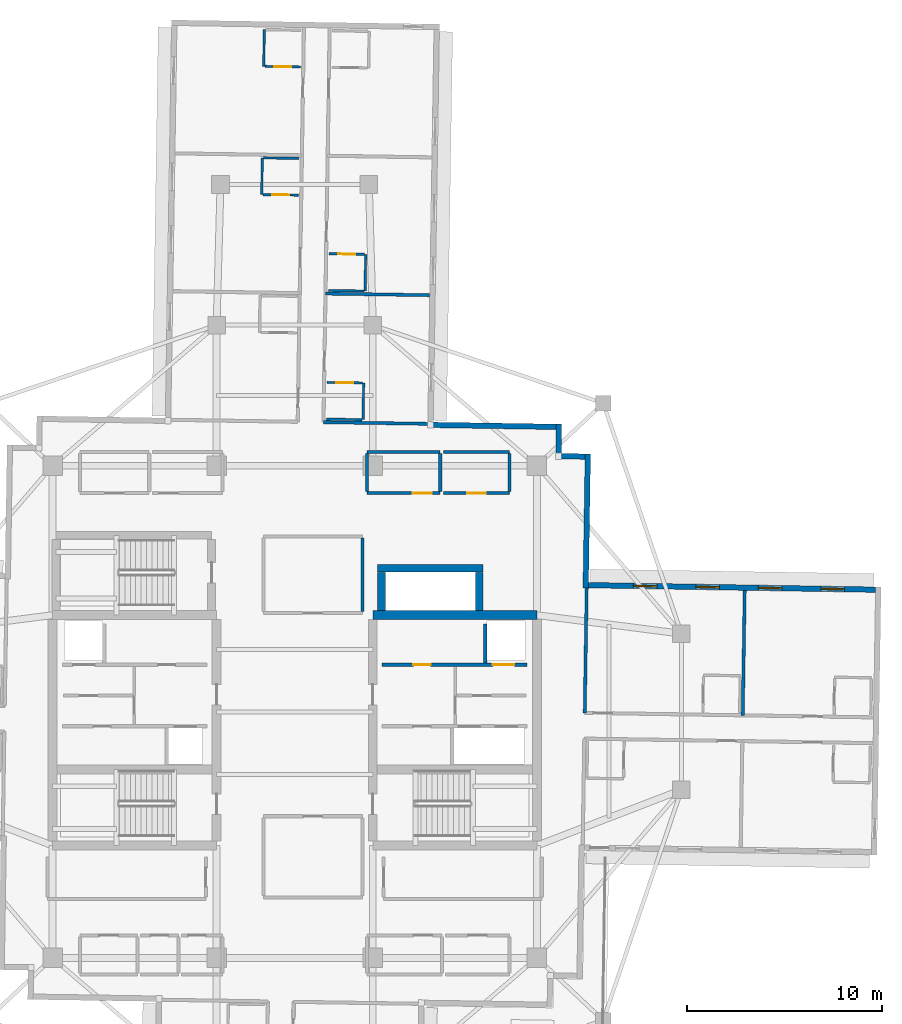
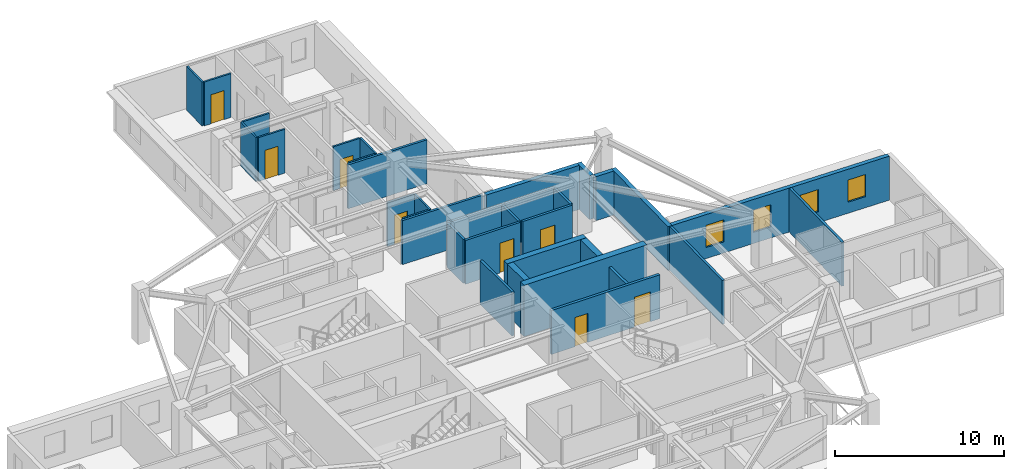
# One storey, part 8 of 13: 34 walls, 8 doors, 4 windows, 12 openings.
"""IFC4 building model written with IfcOpenShell, lengths in metres."""

from ifc_helpers import new_model, si_unit, direction, frame, frame_2d, origin, place, context, subcontext, project, spatial, rectangle, extrude, material, layer, layer_set, type_object, element, fill, save


model = new_model("IFC4")

# Units and contexts
model_context = context("Model", 3, precision=1e-05, world=origin(), true_north=direction((0.0, 1.0)))
body_context = subcontext(model_context, "Body", "Model", "MODEL_VIEW")
ifc_project = project(units=[si_unit("LENGTHUNIT", "METRE"), si_unit("AREAUNIT", "SQUARE_METRE"), si_unit("VOLUMEUNIT", "CUBIC_METRE"), si_unit("PLANEANGLEUNIT", "RADIAN"), si_unit("MASSUNIT", "GRAM", prefix="KILO")], contexts=[model_context])

# Site, building, storey
site_placement = place(None, origin())
site = spatial("IfcSite", under=ifc_project, at=site_placement, CompositionType="ELEMENT")
building_placement = place(site_placement, origin())
building = spatial("IfcBuilding", under=site, at=building_placement, Name="Qingluan Cross Belvedere", CompositionType="ELEMENT")
storey_placement = place(building_placement, frame((0.0, 0.0, 228.60009765625)))
storey = spatial("IfcBuildingStorey", under=building, at=storey_placement, Name="L57", CompositionType="ELEMENT", Elevation=228.60009765625)

# Walls
ifc_material_1 = material(Name="Concrete C50", Category="concrete")
ifc_layer_1 = layer(ifc_material_1, 0.449951171875, Name="CoreShearWall_450")
ifc_layer_set_1 = layer_set([ifc_layer_1], Name="Concrete C50")
wall_type_1 = type_object("IfcWallType", Name="CoreShearWall_450", PredefinedType="SHEAR", material=ifc_layer_set_1)
wall_1_placement = place(storey_placement, frame((4.0, 4.949951171875, 0.0), z_axis=(0.0, 0.0, 1.0), x_axis=(1.0, 0.0, 0.0)))
element("IfcWall", 1, at=wall_1_placement, inside=storey, type_object=wall_type_1, Name="Split core E shear wall L57-N", PredefinedType="SHEAR", context=body_context, shape_type="SweptSolid", body=[
    extrude(rectangle(XDim=8.39990234375, YDim=0.449951171875, at=frame_2d((4.199951171875, 0.0))), origin(), (0.0, 0.0, 1.0), 3.699951171875),
])
wall_2_placement = place(storey_placement, frame((4.449951171875, 5.179931640625, 0.0), z_axis=(0.0, 0.0, 1.0), x_axis=(0.0, 1.0, 0.0)))
element("IfcWall", 2, at=wall_2_placement, inside=storey, type_object=wall_type_1, Name="Express shuttle core wall L57-W", PredefinedType="SHEAR", context=body_context, shape_type="SweptSolid", body=[
    extrude(rectangle(XDim=1.9599609375, YDim=0.39990234375, at=frame_2d((0.97998046875, 0.0))), origin(), (0.0, 0.0, 1.0), 3.699951171875),
])
wall_3_placement = place(storey_placement, frame((4.25, 7.35009765625, 0.0), z_axis=(0.0, 0.0, 1.0), x_axis=(1.0, 0.0, 0.0)))
element("IfcWall", 3, at=wall_3_placement, inside=storey, type_object=wall_type_1, Name="Express shuttle core wall L57-N", PredefinedType="SHEAR", context=body_context, shape_type="SweptSolid", body=[
    extrude(rectangle(XDim=5.39990234375, YDim=0.39990234375, at=frame_2d((2.699951171875, 0.0))), origin(), (0.0, 0.0, 1.0), 3.699951171875),
])
wall_4_placement = place(storey_placement, frame((9.449951171875, 5.179931640625, 0.0), z_axis=(0.0, 0.0, 1.0), x_axis=(0.0, 1.0, 0.0)))
element("IfcWall", 4, at=wall_4_placement, inside=storey, type_object=wall_type_1, Name="Express shuttle core wall L57-E", PredefinedType="SHEAR", context=body_context, shape_type="SweptSolid", body=[
    extrude(rectangle(XDim=1.9599609375, YDim=0.39990234375, at=frame_2d((0.97998046875, 0.0))), origin(), (0.0, 0.0, 1.0), 3.699951171875),
])

# Wall, opening, door
ifc_material_2 = material(Name="Gypsum plasterboard on steel stud acoustic partition", Category="steel")
ifc_layer_2 = layer(ifc_material_2, 0.159912109375, Name="CorridorPartition_160")
ifc_layer_set_2 = layer_set([ifc_layer_2], Name="Gypsum plasterboard on steel stud acoustic partition")
wall_type_2 = type_object("IfcWallType", Name="CorridorPartition_160", PredefinedType="PARTITIONING", material=ifc_layer_set_2)
wall_5_placement = place(storey_placement, frame((3.699951171875, 11.199951171875, 0.0), z_axis=(0.0, 0.0, 1.0), x_axis=(1.0, 0.0, 0.0)))
wall_5 = element("IfcWall", 5, at=wall_5_placement, inside=storey, type_object=wall_type_2, Name="Partition L57:q_ne1:S", PredefinedType="PARTITIONING", context=body_context, shape_type="SweptSolid", body=[
    extrude(rectangle(XDim=3.75, YDim=0.159912109375, at=frame_2d((1.875, 0.0))), origin(), (0.0, 0.0, 1.0), 3.169921875),
])
opening_1_placement = place(wall_5_placement, frame((2.344970703125, 0.0, 0.0)))
opening_1 = element("IfcOpeningElement", 6, at=opening_1_placement, cuts=wall_5, Name="Opening GD-10", PredefinedType="OPENING", context=body_context, shape_type="SweptSolid", body=[
    extrude(rectangle(XDim=0.9599609375, YDim=2.14990234375, at=frame_2d((0.47998046875, 1.074951171875))), frame((0.0, 0.08984375, 0.0), z_axis=(0.0, -1.0, 0.0), x_axis=(1.0, 0.0, 0.0)), (0.0, 0.0, 1.0), 0.179931640625),
])
ifc_material_3 = material(Name="Timber oak fire-rated acoustic guestroom door", Category="wood")
door_type_1 = type_object("IfcDoorType", Name="GuestEntryDoor_FD60", OperationType="NOTDEFINED", PredefinedType="DOOR", material=ifc_material_3)
door_1_placement = place(opening_1_placement, origin())
door_1 = element("IfcDoor", 7, at=door_1_placement, inside=storey, type_object=door_type_1, Name="Sky yoga pavilion L57 door", OperationType="SINGLE_SWING_RIGHT", OverallHeight=2.14990234375, OverallWidth=0.9599609375, PredefinedType="DOOR", context=body_context, shape_type="SweptSolid", body=[
    extrude(rectangle(XDim=0.9599609375, YDim=2.14990234375, at=frame_2d((0.47998046875, 1.074951171875))), frame((0.0, 0.02490234375, 0.0), z_axis=(0.0, -1.0, 0.0), x_axis=(1.0, 0.0, 0.0)), (0.0, 0.0, 1.0), 0.050048828125),
])
fill(opening_1, door_1)

# Walls
wall_6_placement = place(storey_placement, frame((3.699951171875, 13.300048828125, 0.0), z_axis=(0.0, 0.0, 1.0), x_axis=(1.0, 0.0, 0.0)))
element("IfcWall", 8, at=wall_6_placement, inside=storey, type_object=wall_type_2, Name="Partition L57:q_ne1:N", PredefinedType="PARTITIONING", context=body_context, shape_type="SweptSolid", body=[
    extrude(rectangle(XDim=3.75, YDim=0.159912109375, at=frame_2d((1.875, 0.0))), origin(), (0.0, 0.0, 1.0), 3.169921875),
])
for number, where, z_axis, x_axis, name in (
    (9, (3.699951171875, 11.284912109375, 0.0), (0.0, 0.0, 1.0), (0.0, 1.0, 0.0), "Partition L57:q_ne1:W"),
    (10, (7.449951171875, 11.284912109375, 0.0), (0.0, 0.0, 1.0), (0.0, 1.0, 0.0), "Partition L57:q_ne1:E"),
):
    element("IfcWall", number, at=place(storey_placement, frame(where, z_axis=z_axis, x_axis=x_axis)), inside=storey, type_object=wall_type_2, Name=name, PredefinedType="PARTITIONING", context=body_context, shape_type="SweptSolid", body=[
        extrude(rectangle(XDim=1.93017578125, YDim=0.159912109375, at=frame_2d((0.965087890625, 0.0))), origin(), (0.0, 0.0, 1.0), 3.169921875),
    ])

# Wall, opening, door
wall_7_placement = place(storey_placement, frame((7.610107421875, 11.199951171875, 0.0), z_axis=(0.0, 0.0, 1.0), x_axis=(1.0, 0.0, 0.0)))
wall_7 = element("IfcWall", 11, at=wall_7_placement, inside=storey, type_object=wall_type_2, Name="Partition L57:q_ne2:S", PredefinedType="PARTITIONING", context=body_context, shape_type="SweptSolid", body=[
    extrude(rectangle(XDim=3.389892578125, YDim=0.159912109375, at=frame_2d((1.69482421875, 0.0))), origin(), (0.0, 0.0, 1.0), 3.169921875),
])
opening_2_placement = place(wall_7_placement, frame((1.215087890625, 0.0, 0.0)))
opening_2 = element("IfcOpeningElement", 12, at=opening_2_placement, cuts=wall_7, Name="Opening GD-10", PredefinedType="OPENING", context=body_context, shape_type="SweptSolid", body=[
    extrude(rectangle(XDim=0.9599609375, YDim=2.14990234375, at=frame_2d((0.47998046875, 1.074951171875))), frame((0.0, 0.08984375, 0.0), z_axis=(0.0, -1.0, 0.0), x_axis=(1.0, 0.0, 0.0)), (0.0, 0.0, 1.0), 0.179931640625),
])
door_2_placement = place(opening_2_placement, origin())
door_2 = element("IfcDoor", 13, at=door_2_placement, inside=storey, type_object=door_type_1, Name="Northeast tea salon L57 door", OperationType="SINGLE_SWING_LEFT", OverallHeight=2.14990234375, OverallWidth=0.9599609375, PredefinedType="DOOR", context=body_context, shape_type="SweptSolid", body=[
    extrude(rectangle(XDim=0.9599609375, YDim=2.14990234375, at=frame_2d((0.47998046875, 1.074951171875))), frame((0.0, 0.02490234375, 0.0), z_axis=(0.0, -1.0, 0.0), x_axis=(1.0, 0.0, 0.0)), (0.0, 0.0, 1.0), 0.050048828125),
])
fill(opening_2, door_2)

# Walls
wall_8_placement = place(storey_placement, frame((7.610107421875, 13.300048828125, 0.0), z_axis=(0.0, 0.0, 1.0), x_axis=(1.0, 0.0, 0.0)))
element("IfcWall", 14, at=wall_8_placement, inside=storey, type_object=wall_type_2, Name="Partition L57:q_ne2:N", PredefinedType="PARTITIONING", context=body_context, shape_type="SweptSolid", body=[
    extrude(rectangle(XDim=3.389892578125, YDim=0.159912109375, at=frame_2d((1.69482421875, 0.0))), origin(), (0.0, 0.0, 1.0), 3.169921875),
])
wall_9_placement = place(storey_placement, frame((11.0, 11.284912109375, 0.0), z_axis=(0.0, 0.0, 1.0), x_axis=(0.0, 1.0, 0.0)))
element("IfcWall", 15, at=wall_9_placement, inside=storey, type_object=wall_type_2, Name="Partition L57:q_ne2:E", PredefinedType="PARTITIONING", context=body_context, shape_type="SweptSolid", body=[
    extrude(rectangle(XDim=1.93017578125, YDim=0.159912109375, at=frame_2d((0.965087890625, 0.0))), origin(), (0.0, 0.0, 1.0), 3.169921875),
])
wall_10_placement = place(storey_placement, frame((3.47998046875, 5.135009765625, 0.0), z_axis=(0.0, 0.0, 1.0), x_axis=(0.0, 1.0, 0.0)))
element("IfcWall", 16, at=wall_10_placement, inside=storey, type_object=wall_type_2, Name="Partition L57:sky_tea_alcove:E", PredefinedType="PARTITIONING", context=body_context, shape_type="SweptSolid", body=[
    extrude(rectangle(XDim=3.760009765625, YDim=0.159912109375, at=frame_2d((1.8798828125, 0.0))), origin(), (0.0, 0.0, 1.0), 3.169921875),
])
for number, where, z_axis, x_axis, name in (
    (17, (14.85107421875, -0.05322265625, 0.0), (0.0, 0.0, 1.0), (0.015698271615, 0.999876774542, 0.0), "Partition L57:E:s0"),
    (18, (22.94189453125, -0.180419921875, 0.0), (0.0, 0.0, 1.0), (0.015736457476, 0.999876174287, 0.0), "Partition L57:E:d0_0"),
):
    element("IfcWall", number, at=place(storey_placement, frame(where, z_axis=z_axis, x_axis=x_axis)), inside=storey, type_object=wall_type_2, Name=name, PredefinedType="PARTITIONING", context=body_context, shape_type="SweptSolid", body=[
        extrude(rectangle(XDim=6.391845703125, YDim=0.159912109375, at=frame_2d((3.19580078125, 0.0))), origin(), (0.0, 0.0, 1.0), 3.169921875),
    ])
wall_11_placement = place(storey_placement, frame((1.47314453125, 14.82861328125, 0.0), z_axis=(0.0, 0.0, 1.0), x_axis=(0.999877025973, -0.015682248948, 0.0)))
element("IfcWall", 19, at=wall_11_placement, inside=storey, type_object=wall_type_2, Name="Partition L57:N:s0", PredefinedType="PARTITIONING", context=body_context, shape_type="SweptSolid", body=[
    extrude(rectangle(XDim=5.47998046875, YDim=0.159912109375, at=frame_2d((2.739990234375, 0.0))), origin(), (0.0, 0.0, 1.0), 3.169921875),
])
wall_12_placement = place(storey_placement, frame((1.57666015625, 21.414794921875, 0.0), z_axis=(0.0, 0.0, 1.0), x_axis=(0.999876663408, -0.015705348516, 0.0)))
element("IfcWall", 20, at=wall_12_placement, inside=storey, type_object=wall_type_2, Name="Partition L57:N:d0_0", PredefinedType="PARTITIONING", context=body_context, shape_type="SweptSolid", body=[
    extrude(rectangle(XDim=5.33203125, YDim=0.159912109375, at=frame_2d((2.666015625, 0.0))), origin(), (0.0, 0.0, 1.0), 3.169921875),
])

# Wall, opening, door
ifc_material_4 = material(Name="Moisture-resistant gypsum board lining")
ifc_layer_3 = layer(ifc_material_4, 0.1201171875, Name="EnsuiteWetPartition_120")
ifc_layer_set_3 = layer_set([ifc_layer_3], Name="Moisture-resistant gypsum board lining")
wall_type_3 = type_object("IfcWallType", Name="EnsuiteWetPartition_120", PredefinedType="PARTITIONING", material=ifc_layer_set_3)
wall_13_placement = place(storey_placement, frame((1.64501953125, 16.8662109375, 0.0), z_axis=(0.0, 0.0, 1.0), x_axis=(0.999876836305, -0.015694337248, 0.0)))
wall_13 = element("IfcWall", 21, at=wall_13_placement, inside=storey, type_object=wall_type_3, Name="Partition L57:N:bs0_0", PredefinedType="PARTITIONING", context=body_context, shape_type="SweptSolid", body=[
    extrude(rectangle(XDim=1.820068359375, YDim=0.1201171875, at=frame_2d((0.91015625, 0.0))), origin(), (0.0, 0.0, 1.0), 3.169921875),
])
opening_3_placement = place(wall_13_placement, frame((0.469970703125, 0.0, 0.0)))
opening_3 = element("IfcOpeningElement", 22, at=opening_3_placement, cuts=wall_13, Name="Opening BD-09", PredefinedType="OPENING", context=body_context, shape_type="SweptSolid", body=[
    extrude(rectangle(XDim=0.8798828125, YDim=2.10009765625, at=frame_2d((0.43994140625, 1.050048828125))), frame((0.0, 0.070068359375, 0.0), z_axis=(0.0, -1.0, 0.0), x_axis=(1.0, 0.0, 0.0)), (0.0, 0.0, 1.0), 0.14013671875),
])
ifc_material_5 = material(Name="Moisture-sealed timber en-suite door", Category="wood")
door_type_2 = type_object("IfcDoorType", Name="BathroomDoor_880", OperationType="NOTDEFINED", PredefinedType="DOOR", material=ifc_material_5)
door_3_placement = place(opening_3_placement, origin())
door_3 = element("IfcDoor", 23, at=door_3_placement, inside=storey, type_object=door_type_2, Name="Bathroom door 5709", OperationType="SINGLE_SWING_RIGHT", OverallHeight=2.10009765625, OverallWidth=0.8798828125, PredefinedType="DOOR", context=body_context, shape_type="SweptSolid", body=[
    extrude(rectangle(XDim=0.8798828125, YDim=2.10009765625, at=frame_2d((0.43994140625, 1.050048828125))), frame((0.0, 0.02490234375, 0.0), z_axis=(0.0, -1.0, 0.0), x_axis=(1.0, 0.0, 0.0)), (0.0, 0.0, 1.0), 0.050048828125),
])
fill(opening_3, door_3)

# Walls
wall_14_placement = place(storey_placement, frame((1.615478515625, 14.986572265625, 0.0), z_axis=(0.0, 0.0, 1.0), x_axis=(0.999876836305, -0.015694337248, 0.0)))
element("IfcWall", 24, at=wall_14_placement, inside=storey, type_object=wall_type_3, Name="Partition L57:N:bw0_0", PredefinedType="PARTITIONING", context=body_context, shape_type="SweptSolid", body=[
    extrude(rectangle(XDim=1.820068359375, YDim=0.1201171875, at=frame_2d((0.91015625, 0.0))), origin(), (0.0, 0.0, 1.0), 3.169921875),
])
wall_15_placement = place(storey_placement, frame((3.50048828125, 14.956787109375, 0.0), z_axis=(0.0, 0.0, 1.0), x_axis=(0.015582523404, 0.999878585111, 0.0)))
element("IfcWall", 25, at=wall_15_placement, inside=storey, type_object=wall_type_3, Name="Partition L57:N:bn0_0", PredefinedType="PARTITIONING", context=body_context, shape_type="SweptSolid", body=[
    extrude(rectangle(XDim=1.880126953125, YDim=0.1201171875, at=frame_2d((0.93994140625, 0.0))), origin(), (0.0, 0.0, 1.0), 3.169921875),
])

# Wall, opening, door
wall_16_placement = place(storey_placement, frame((1.74853515625, 23.452392578125, 0.0), z_axis=(0.0, 0.0, 1.0), x_axis=(0.999876836305, -0.015694337248, 0.0)))
wall_16 = element("IfcWall", 26, at=wall_16_placement, inside=storey, type_object=wall_type_3, Name="Partition L57:N:bs0_1", PredefinedType="PARTITIONING", context=body_context, shape_type="SweptSolid", body=[
    extrude(rectangle(XDim=1.820068359375, YDim=0.1201171875, at=frame_2d((0.91015625, 0.0))), origin(), (0.0, 0.0, 1.0), 3.169921875),
])
opening_4_placement = place(wall_16_placement, frame((0.469970703125, 0.0, 0.0)))
opening_4 = element("IfcOpeningElement", 27, at=opening_4_placement, cuts=wall_16, Name="Opening BD-09", PredefinedType="OPENING", context=body_context, shape_type="SweptSolid", body=[
    extrude(rectangle(XDim=0.8798828125, YDim=2.10009765625, at=frame_2d((0.43994140625, 1.050048828125))), frame((0.0, 0.070068359375, 0.0), z_axis=(0.0, -1.0, 0.0), x_axis=(1.0, 0.0, 0.0)), (0.0, 0.0, 1.0), 0.14013671875),
])
door_4_placement = place(opening_4_placement, origin())
door_4 = element("IfcDoor", 28, at=door_4_placement, inside=storey, type_object=door_type_2, Name="Bathroom door 5710", OperationType="SINGLE_SWING_RIGHT", OverallHeight=2.10009765625, OverallWidth=0.8798828125, PredefinedType="DOOR", context=body_context, shape_type="SweptSolid", body=[
    extrude(rectangle(XDim=0.8798828125, YDim=2.10009765625, at=frame_2d((0.43994140625, 1.050048828125))), frame((0.0, 0.02490234375, 0.0), z_axis=(0.0, -1.0, 0.0), x_axis=(1.0, 0.0, 0.0)), (0.0, 0.0, 1.0), 0.050048828125),
])
fill(opening_4, door_4)

# Walls
wall_17_placement = place(storey_placement, frame((1.718994140625, 21.57275390625, 0.0), z_axis=(0.0, 0.0, 1.0), x_axis=(0.999876836305, -0.015694337248, 0.0)))
element("IfcWall", 29, at=wall_17_placement, inside=storey, type_object=wall_type_3, Name="Partition L57:N:bw0_1", PredefinedType="PARTITIONING", context=body_context, shape_type="SweptSolid", body=[
    extrude(rectangle(XDim=1.820068359375, YDim=0.1201171875, at=frame_2d((0.91015625, 0.0))), origin(), (0.0, 0.0, 1.0), 3.169921875),
])
wall_18_placement = place(storey_placement, frame((3.603759765625, 21.543212890625, 0.0), z_axis=(0.0, 0.0, 1.0), x_axis=(0.015714386166, 0.99987652141, 0.0)))
element("IfcWall", 30, at=wall_18_placement, inside=storey, type_object=wall_type_3, Name="Partition L57:N:bn0_1", PredefinedType="PARTITIONING", context=body_context, shape_type="SweptSolid", body=[
    extrude(rectangle(XDim=1.8798828125, YDim=0.1201171875, at=frame_2d((0.93994140625, 0.0))), origin(), (0.0, 0.0, 1.0), 3.169921875),
])

# Wall, opening, door
wall_19_placement = place(storey_placement, frame((-1.624267578125, 26.48388671875, 0.0), z_axis=(0.0, 0.0, 1.0), x_axis=(0.999874722342, -0.015828443418, 0.0)))
wall_19 = element("IfcWall", 31, at=wall_19_placement, inside=storey, type_object=wall_type_3, Name="Partition L57:N:bs1_1", PredefinedType="PARTITIONING", context=body_context, shape_type="SweptSolid", body=[
    extrude(rectangle(XDim=1.820068359375, YDim=0.1201171875, at=frame_2d((0.91015625, 0.0))), origin(), (0.0, 0.0, 1.0), 3.169921875),
])
opening_5_placement = place(wall_19_placement, frame((0.469970703125, 0.0, 0.0)))
opening_5 = element("IfcOpeningElement", 32, at=opening_5_placement, cuts=wall_19, Name="Opening BD-09", PredefinedType="OPENING", context=body_context, shape_type="SweptSolid", body=[
    extrude(rectangle(XDim=0.8798828125, YDim=2.10009765625, at=frame_2d((0.43994140625, 1.050048828125))), frame((0.0, 0.070068359375, 0.0), z_axis=(0.0, -1.0, 0.0), x_axis=(1.0, 0.0, 0.0)), (0.0, 0.0, 1.0), 0.14013671875),
])
door_5_placement = place(opening_5_placement, origin())
door_5 = element("IfcDoor", 33, at=door_5_placement, inside=storey, type_object=door_type_2, Name="Bathroom door 5713", OperationType="SINGLE_SWING_RIGHT", OverallHeight=2.10009765625, OverallWidth=0.8798828125, PredefinedType="DOOR", context=body_context, shape_type="SweptSolid", body=[
    extrude(rectangle(XDim=0.8798828125, YDim=2.10009765625, at=frame_2d((0.43994140625, 1.050048828125))), frame((0.0, 0.02490234375, 0.0), z_axis=(0.0, -1.0, 0.0), x_axis=(1.0, 0.0, 0.0)), (0.0, 0.0, 1.0), 0.050048828125),
])
fill(opening_5, door_5)

# Walls
wall_20_placement = place(storey_placement, frame((-1.5947265625, 28.363525390625, 0.0), z_axis=(0.0, 0.0, 1.0), x_axis=(0.999876836305, -0.015694337248, 0.0)))
element("IfcWall", 34, at=wall_20_placement, inside=storey, type_object=wall_type_3, Name="Partition L57:N:bw1_1", PredefinedType="PARTITIONING", context=body_context, shape_type="SweptSolid", body=[
    extrude(rectangle(XDim=1.820068359375, YDim=0.1201171875, at=frame_2d((0.91015625, 0.0))), origin(), (0.0, 0.0, 1.0), 3.169921875),
])
wall_21_placement = place(storey_placement, frame((-1.689208984375, 26.48486328125, 0.0), z_axis=(0.0, 0.0, 1.0), x_axis=(0.015714386166, 0.99987652141, 0.0)))
element("IfcWall", 35, at=wall_21_placement, inside=storey, type_object=wall_type_3, Name="Partition L57:N:bc1_1", PredefinedType="PARTITIONING", context=body_context, shape_type="SweptSolid", body=[
    extrude(rectangle(XDim=1.8798828125, YDim=0.1201171875, at=frame_2d((0.93994140625, 0.0))), origin(), (0.0, 0.0, 1.0), 3.169921875),
])

# Wall, opening, door
wall_22_placement = place(storey_placement, frame((-1.52099609375, 33.048095703125, 0.0), z_axis=(0.0, 0.0, 1.0), x_axis=(0.999874688728, -0.015830566654, 0.0)))
wall_22 = element("IfcWall", 36, at=wall_22_placement, inside=storey, type_object=wall_type_3, Name="Partition L57:N:bs1_2", PredefinedType="PARTITIONING", context=body_context, shape_type="SweptSolid", body=[
    extrude(rectangle(XDim=1.81982421875, YDim=0.1201171875, at=frame_2d((0.909912109375, 0.0))), origin(), (0.0, 0.0, 1.0), 3.169921875),
])
opening_6_placement = place(wall_22_placement, frame((0.469970703125, 0.0, 0.0)))
opening_6 = element("IfcOpeningElement", 37, at=opening_6_placement, cuts=wall_22, Name="Opening BD-09", PredefinedType="OPENING", context=body_context, shape_type="SweptSolid", body=[
    extrude(rectangle(XDim=0.8798828125, YDim=2.10009765625, at=frame_2d((0.43994140625, 1.050048828125))), frame((0.0, 0.070068359375, 0.0), z_axis=(0.0, -1.0, 0.0), x_axis=(1.0, 0.0, 0.0)), (0.0, 0.0, 1.0), 0.14013671875),
])
door_6_placement = place(opening_6_placement, origin())
door_6 = element("IfcDoor", 38, at=door_6_placement, inside=storey, type_object=door_type_2, Name="Bathroom door 5714", OperationType="SINGLE_SWING_RIGHT", OverallHeight=2.10009765625, OverallWidth=0.8798828125, PredefinedType="DOOR", context=body_context, shape_type="SweptSolid", body=[
    extrude(rectangle(XDim=0.8798828125, YDim=2.10009765625, at=frame_2d((0.43994140625, 1.050048828125))), frame((0.0, 0.02490234375, 0.0), z_axis=(0.0, -1.0, 0.0), x_axis=(1.0, 0.0, 0.0)), (0.0, 0.0, 1.0), 0.050048828125),
])
fill(opening_6, door_6)

# Wall
wall_23_placement = place(storey_placement, frame((-1.586181640625, 33.049072265625, 0.0), z_axis=(0.0, 0.0, 1.0), x_axis=(0.015714386166, 0.99987652141, 0.0)))
element("IfcWall", 39, at=wall_23_placement, inside=storey, type_object=wall_type_3, Name="Partition L57:N:bc1_2", PredefinedType="PARTITIONING", context=body_context, shape_type="SweptSolid", body=[
    extrude(rectangle(XDim=1.8798828125, YDim=0.1201171875, at=frame_2d((0.93994140625, 0.0))), origin(), (0.0, 0.0, 1.0), 3.169921875),
])

# Wall, openings, windows
ifc_material_6 = material(Name="Precast concrete C45", Category="concrete")
ifc_layer_4 = layer(ifc_material_6, 0.280029296875, Name="PrecastFacadeWall_280")
ifc_layer_set_4 = layer_set([ifc_layer_4], Name="Precast concrete C45")
wall_type_4 = type_object("IfcWallType", Name="PrecastFacadeWall_280", PredefinedType="STANDARD", material=ifc_layer_set_4)
wall_24_placement = place(storey_placement, frame((29.741943359375, 6.253662109375, 0.0), z_axis=(0.0, 0.0, 1.0), x_axis=(-0.999876569875, 0.015711302158, 0.0)))
wall_24 = element("IfcWall", 40, at=wall_24_placement, inside=storey, type_object=wall_type_4, Name="Facade wall L57-EB", PredefinedType="STANDARD", context=body_context, shape_type="SweptSolid", body=[
    extrude(rectangle(XDim=14.699951171875, YDim=0.280029296875, at=frame_2d((7.35009765625, 0.0))), origin(), (0.0, 0.0, 1.0), 3.179931640625),
])
opening_7_placement = place(wall_24_placement, frame((1.60009765625, 0.0, 0.800048828125)))
opening_7 = element("IfcOpeningElement", 41, at=opening_7_placement, cuts=wall_24, Name="Opening W-02", PredefinedType="OPENING", context=body_context, shape_type="SweptSolid", body=[
    extrude(rectangle(XDim=1.199951171875, YDim=1.60009765625, at=frame_2d((0.60009765625, 0.800048828125))), frame((0.0, 0.14990234375, 0.0), z_axis=(0.0, -1.0, 0.0), x_axis=(1.0, 0.0, 0.0)), (0.0, 0.0, 1.0), 0.300048828125),
])
opening_8_placement = place(wall_24_placement, frame((4.800048828125, 0.0, 0.800048828125)))
opening_8 = element("IfcOpeningElement", 42, at=opening_8_placement, cuts=wall_24, Name="Opening W-02", PredefinedType="OPENING", context=body_context, shape_type="SweptSolid", body=[
    extrude(rectangle(XDim=1.199951171875, YDim=1.60009765625, at=frame_2d((0.60009765625, 0.800048828125))), frame((0.0, 0.14990234375, 0.0), z_axis=(0.0, -1.0, 0.0), x_axis=(1.0, 0.0, 0.0)), (0.0, 0.0, 1.0), 0.300048828125),
])
opening_9_placement = place(wall_24_placement, frame((8.0, 0.0, 0.800048828125)))
opening_9 = element("IfcOpeningElement", 43, at=opening_9_placement, cuts=wall_24, Name="Opening W-02", PredefinedType="OPENING", context=body_context, shape_type="SweptSolid", body=[
    extrude(rectangle(XDim=1.199951171875, YDim=1.60009765625, at=frame_2d((0.60009765625, 0.800048828125))), frame((0.0, 0.14990234375, 0.0), z_axis=(0.0, -1.0, 0.0), x_axis=(1.0, 0.0, 0.0)), (0.0, 0.0, 1.0), 0.300048828125),
])
opening_10_placement = place(wall_24_placement, frame((11.199951171875, 0.0, 0.800048828125)))
opening_10 = element("IfcOpeningElement", 44, at=opening_10_placement, cuts=wall_24, Name="Opening W-02", PredefinedType="OPENING", context=body_context, shape_type="SweptSolid", body=[
    extrude(rectangle(XDim=1.199951171875, YDim=1.60009765625, at=frame_2d((0.60009765625, 0.800048828125))), frame((0.0, 0.14990234375, 0.0), z_axis=(0.0, -1.0, 0.0), x_axis=(1.0, 0.0, 0.0)), (0.0, 0.0, 1.0), 0.300048828125),
])
ifc_material_7 = material(Name="Thermally broken triple Low-E glass in aluminium frame", Category="aluminium")
window_type = type_object("IfcWindowType", Name="TriRibbonWin_1200x1600", PartitioningType="SINGLE_PANEL", PredefinedType="WINDOW", material=ifc_material_7)
window_1_placement = place(opening_7_placement, origin())
window_1 = element("IfcWindow", 45, at=window_1_placement, inside=storey, type_object=window_type, Name="Ribbon window L57-EB-1", OverallHeight=1.60009765625, OverallWidth=1.199951171875, PartitioningType="SINGLE_PANEL", PredefinedType="WINDOW", context=body_context, shape_type="SweptSolid", body=[
    extrude(rectangle(XDim=1.199951171875, YDim=1.60009765625, at=frame_2d((0.60009765625, 0.800048828125))), frame((0.0, 0.030029296875, 0.0), z_axis=(0.0, -1.0, 0.0), x_axis=(1.0, 0.0, 0.0)), (0.0, 0.0, 1.0), 0.06005859375),
])
fill(opening_7, window_1)
window_2_placement = place(opening_8_placement, origin())
window_2 = element("IfcWindow", 46, at=window_2_placement, inside=storey, type_object=window_type, Name="Ribbon window L57-EB-2", OverallHeight=1.60009765625, OverallWidth=1.199951171875, PartitioningType="SINGLE_PANEL", PredefinedType="WINDOW", context=body_context, shape_type="SweptSolid", body=[
    extrude(rectangle(XDim=1.199951171875, YDim=1.60009765625, at=frame_2d((0.60009765625, 0.800048828125))), frame((0.0, 0.030029296875, 0.0), z_axis=(0.0, -1.0, 0.0), x_axis=(1.0, 0.0, 0.0)), (0.0, 0.0, 1.0), 0.06005859375),
])
fill(opening_8, window_2)
window_3_placement = place(opening_9_placement, origin())
window_3 = element("IfcWindow", 47, at=window_3_placement, inside=storey, type_object=window_type, Name="Ribbon window L57-EB-3", OverallHeight=1.60009765625, OverallWidth=1.199951171875, PartitioningType="SINGLE_PANEL", PredefinedType="WINDOW", context=body_context, shape_type="SweptSolid", body=[
    extrude(rectangle(XDim=1.199951171875, YDim=1.60009765625, at=frame_2d((0.60009765625, 0.800048828125))), frame((0.0, 0.030029296875, 0.0), z_axis=(0.0, -1.0, 0.0), x_axis=(1.0, 0.0, 0.0)), (0.0, 0.0, 1.0), 0.06005859375),
])
fill(opening_9, window_3)
window_4_placement = place(opening_10_placement, origin())
window_4 = element("IfcWindow", 48, at=window_4_placement, inside=storey, type_object=window_type, Name="Ribbon window L57-EB-4", OverallHeight=1.60009765625, OverallWidth=1.199951171875, PartitioningType="SINGLE_PANEL", PredefinedType="WINDOW", context=body_context, shape_type="SweptSolid", body=[
    extrude(rectangle(XDim=1.199951171875, YDim=1.60009765625, at=frame_2d((0.60009765625, 0.800048828125))), frame((0.0, 0.030029296875, 0.0), z_axis=(0.0, -1.0, 0.0), x_axis=(1.0, 0.0, 0.0)), (0.0, 0.0, 1.0), 0.06005859375),
])
fill(opening_10, window_4)

# Walls
wall_25_placement = place(storey_placement, frame((14.901611328125, 6.3466796875, 0.0), z_axis=(0.0, 0.0, 1.0), x_axis=(0.015694809807, 0.999876828887, 0.0)))
element("IfcWall", 49, at=wall_25_placement, inside=storey, type_object=wall_type_4, Name="Corner wall L57-NE1", PredefinedType="STANDARD", context=body_context, shape_type="SweptSolid", body=[
    extrude(rectangle(XDim=6.85986328125, YDim=0.280029296875, at=frame_2d((3.429931640625, 0.0))), origin(), (0.0, 0.0, 1.0), 3.179931640625),
])
wall_26_placement = place(storey_placement, frame((14.8671875, 13.068115234375, 0.0), z_axis=(0.0, 0.0, 1.0), x_axis=(-0.999875053502, 0.015807510352, 0.0)))
element("IfcWall", 50, at=wall_26_placement, inside=storey, type_object=wall_type_4, Name="Corner wall L57-NE2", PredefinedType="STANDARD", context=body_context, shape_type="SweptSolid", body=[
    extrude(rectangle(XDim=1.22021484375, YDim=0.280029296875, at=frame_2d((0.610107421875, 0.0))), origin(), (0.0, 0.0, 1.0), 3.179931640625),
])
wall_27_placement = place(storey_placement, frame((13.509521484375, 13.2294921875, 0.0), z_axis=(0.0, 0.0, 1.0), x_axis=(0.015625635615, 0.999877912303, 0.0)))
element("IfcWall", 51, at=wall_27_placement, inside=storey, type_object=wall_type_4, Name="Corner wall L57-NE3", PredefinedType="STANDARD", context=body_context, shape_type="SweptSolid", body=[
    extrude(rectangle(XDim=1.5, YDim=0.280029296875, at=frame_2d((0.75, 0.0))), origin(), (0.0, 0.0, 1.0), 3.179931640625),
])
wall_28_placement = place(storey_placement, frame((13.390869140625, 14.591552734375, 0.0), z_axis=(0.0, 0.0, 1.0), x_axis=(-0.999876833368, 0.015694524359, 0.0)))
element("IfcWall", 52, at=wall_28_placement, inside=storey, type_object=wall_type_4, Name="Corner wall L57-NE4", PredefinedType="STANDARD", context=body_context, shape_type="SweptSolid", body=[
    extrude(rectangle(XDim=6.300048828125, YDim=0.280029296875, at=frame_2d((3.14990234375, 0.0))), origin(), (0.0, 0.0, 1.0), 3.179931640625),
])

# Wall, openings, doors
ifc_material_8 = material(Name="Concrete C40", Category="concrete")
ifc_layer_5 = layer(ifc_material_8, 0.219970703125, Name="ShaftEnclosureWall_250")
ifc_layer_set_5 = layer_set([ifc_layer_5], Name="Concrete C40")
wall_type_5 = type_object("IfcWallType", Name="ShaftEnclosureWall_250", PredefinedType="SOLIDWALL", material=ifc_layer_set_5)
wall_29_placement = place(storey_placement, frame((4.47998046875, 2.409912109375, 0.0), z_axis=(0.0, 0.0, 1.0), x_axis=(1.0, 0.0, 0.0)))
wall_29 = element("IfcWall", 53, at=wall_29_placement, inside=storey, type_object=wall_type_5, Name="Core-E north hoistway wall L57", PredefinedType="SOLIDWALL", context=body_context, shape_type="SweptSolid", body=[
    extrude(rectangle(XDim=7.419921875, YDim=0.179931640625, at=frame_2d((3.7099609375, 0.0))), origin(), (0.0, 0.0, 1.0), 3.169921875),
])
opening_11_placement = place(wall_29_placement, frame((5.669921875, 0.0, 0.0)))
opening_11 = element("IfcOpeningElement", 54, at=opening_11_placement, cuts=wall_29, Name="Opening LD-11", PredefinedType="OPENING", context=body_context, shape_type="SweptSolid", body=[
    extrude(rectangle(XDim=1.10009765625, YDim=2.14990234375, at=frame_2d((0.550048828125, 1.074951171875))), frame((0.0, 0.099853515625, 0.0), z_axis=(0.0, -1.0, 0.0), x_axis=(1.0, 0.0, 0.0)), (0.0, 0.0, 1.0), 0.199951171875),
])
opening_12_placement = place(wall_29_placement, frame((1.60009765625, 0.0, 0.0)))
opening_12 = element("IfcOpeningElement", 55, at=opening_12_placement, cuts=wall_29, Name="Opening FD-B10", PredefinedType="OPENING", context=body_context, shape_type="SweptSolid", body=[
    extrude(rectangle(XDim=0.8798828125, YDim=2.10009765625, at=frame_2d((0.43994140625, 1.050048828125))), frame((0.0, 0.099853515625, 0.0), z_axis=(0.0, -1.0, 0.0), x_axis=(1.0, 0.0, 0.0)), (0.0, 0.0, 1.0), 0.199951171875),
])
ifc_material_9 = material(Name="Brushed stainless steel centre-opening lift landing door", Category="steel")
door_type_3 = type_object("IfcDoorType", Name="LiftLandingSlidingDoor_1100", OperationType="DOUBLE_DOOR_SLIDING", PredefinedType="DOOR", material=ifc_material_9)
door_7_placement = place(opening_11_placement, origin())
door_7 = element("IfcDoor", 56, at=door_7_placement, inside=storey, type_object=door_type_3, Name="Lift landing sliding door FL2 L57", OperationType="DOUBLE_DOOR_SLIDING", OverallHeight=2.14990234375, OverallWidth=1.10009765625, PredefinedType="DOOR", context=body_context, shape_type="SweptSolid", body=[
    extrude(rectangle(XDim=1.10009765625, YDim=2.14990234375, at=frame_2d((0.550048828125, 1.074951171875))), frame((0.0, 0.02490234375, 0.0), z_axis=(0.0, -1.0, 0.0), x_axis=(1.0, 0.0, 0.0)), (0.0, 0.0, 1.0), 0.050048828125),
])
fill(opening_11, door_7)
ifc_material_10 = material(Name="Steel Class B service fire door", Category="steel")
door_type_4 = type_object("IfcDoorType", Name="RiserServiceFireDoor_FDB", OperationType="NOTDEFINED", PredefinedType="DOOR", material=ifc_material_10)
door_8_placement = place(opening_12_placement, origin())
door_8 = element("IfcDoor", 57, at=door_8_placement, inside=storey, type_object=door_type_4, Name="Pantry room door E L57", OperationType="SINGLE_SWING_LEFT", OverallHeight=2.10009765625, OverallWidth=0.8798828125, PredefinedType="DOOR", context=body_context, shape_type="SweptSolid", body=[
    extrude(rectangle(XDim=0.8798828125, YDim=2.10009765625, at=frame_2d((0.43994140625, 1.050048828125))), frame((0.0, 0.02490234375, 0.0), z_axis=(0.0, -1.0, 0.0), x_axis=(1.0, 0.0, 0.0)), (0.0, 0.0, 1.0), 0.050048828125),
])
fill(opening_12, door_8)

# Wall
wall_30_placement = place(storey_placement, frame((9.760009765625, 2.5, 0.0), z_axis=(0.0, 0.0, 1.0), x_axis=(0.0, 1.0, 0.0)))
element("IfcWall", 58, at=wall_30_placement, inside=storey, type_object=wall_type_5, Name="Hoistway enclosure divider FL2W L57", PredefinedType="SOLIDWALL", context=body_context, shape_type="SweptSolid", body=[
    extrude(rectangle(XDim=1.989990234375, YDim=0.179931640625, at=frame_2d((0.9951171875, 0.0))), origin(), (0.0, 0.0, 1.0), 3.169921875),
])

save(model, "model.ifc")
